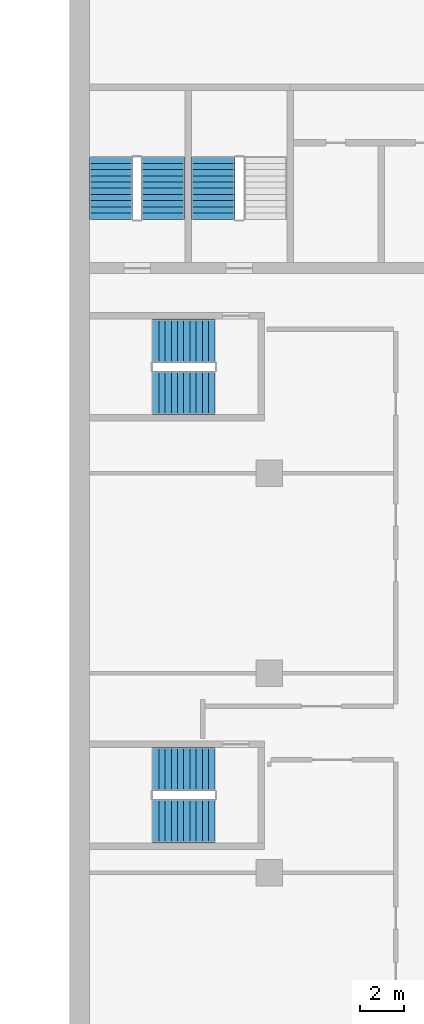
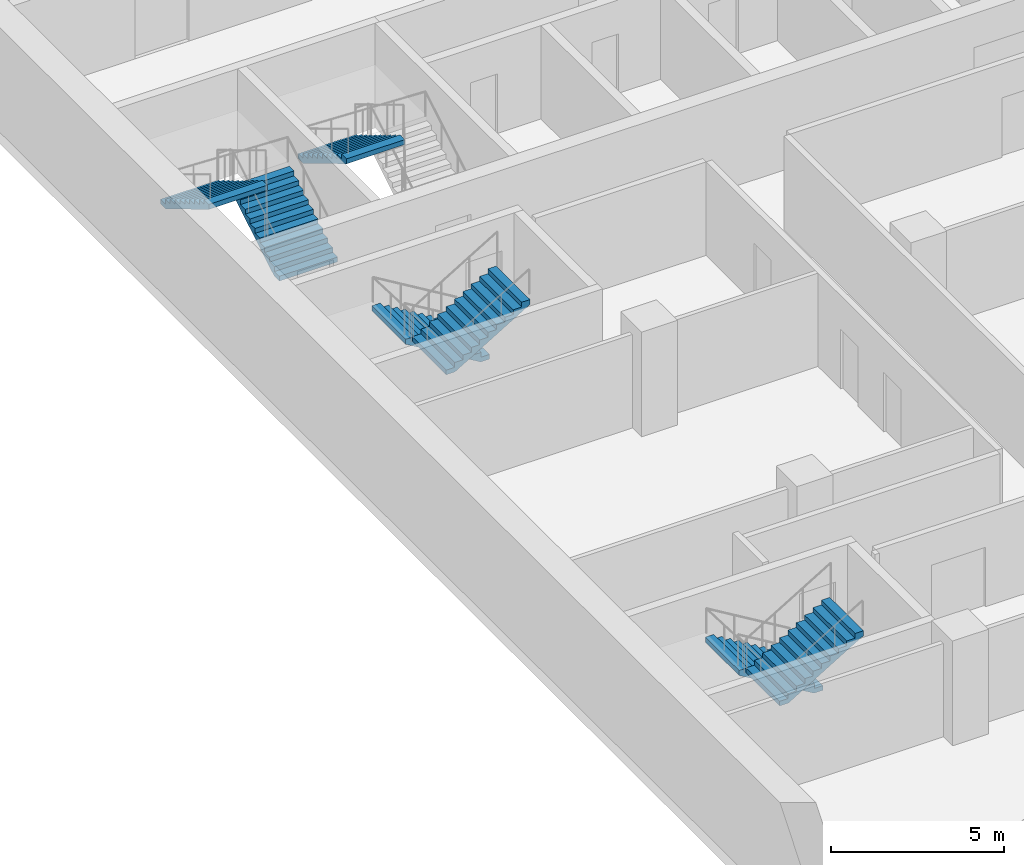
# One storey, part 15 of 22: 7 stair flights, 4 elements without a shape of their own.
"""IFC4 building model written with IfcOpenShell, lengths in metres."""

from ifc_helpers import new_model, si_unit, direction, frame, origin, place, context, subcontext, project, spatial, polyline, outline, extrude, material, type_object, element, aggregate, save


model = new_model("IFC4")

# Units and contexts
model_context = context("Model", 3, precision=1e-05, world=origin(), true_north=direction((0.0, 1.0)))
body_context = subcontext(model_context, "Body", "Model", "MODEL_VIEW")
ifc_project = project(units=[si_unit("LENGTHUNIT", "METRE"), si_unit("AREAUNIT", "SQUARE_METRE"), si_unit("VOLUMEUNIT", "CUBIC_METRE"), si_unit("PLANEANGLEUNIT", "RADIAN"), si_unit("MASSUNIT", "GRAM", prefix="KILO")], contexts=[model_context])

# Site, building, storey
site_placement = place(None, origin())
site = spatial("IfcSite", under=ifc_project, at=site_placement, CompositionType="ELEMENT")
building_placement = place(site_placement, origin())
building = spatial("IfcBuilding", under=site, at=building_placement, Name="Hunhe Ridgeline Campus", CompositionType="ELEMENT")
storey_placement = place(building_placement, frame((0.0, 0.0, 137.5)))
storey = spatial("IfcBuildingStorey", under=building, at=storey_placement, Name="L34", CompositionType="ELEMENT", Elevation=137.5)

# Stair, stair flights
ifc_material = material(Name="Concrete C40", Category="concrete")
stair_type = type_object("IfcStairType", Name="Reinforced concrete dog-leg stair 1950 Concrete C40", PredefinedType="HALF_TURN_STAIR", material=ifc_material)
stair_1_placement = place(storey_placement, origin())
stair_1 = element("IfcStair", 1, at=stair_1_placement, inside=storey, type_object=stair_type, Name="L34 S3", PredefinedType="HALF_TURN_STAIR")
stair_flight_type = type_object("IfcStairFlightType", Name="Reinforced concrete stair flight 1950 Concrete C40", PredefinedType="STRAIGHT", material=ifc_material)
stair_flight_1_placement = place(storey_placement, frame((4.22509765625, 65.449951171875, 0.0), z_axis=(0.0, 0.0, 1.0), x_axis=(0.0, 1.0, 0.0)))
stair_flight_1 = element("IfcStairFlight", 2, at=stair_flight_1_placement, type_object=stair_flight_type, Name="ST3 flight 1", NumberOfRisers=11, NumberOfTreads=10, PredefinedType="STRAIGHT", RiserHeight=0.168181818, TreadLength=0.28, context=body_context, shape_type="SweptSolid", body=[
    extrude(outline(polyline([(0.0, 0.0), (0.0, 0.168212890625), (0.280029296875, 0.168212890625), (0.280029296875, 0.33642578125), (0.56005859375, 0.33642578125), (0.56005859375, 0.504638671875), (0.840087890625, 0.504638671875), (0.840087890625, 0.672607421875), (1.1201171875, 0.672607421875), (1.1201171875, 0.8408203125), (1.39990234375, 0.8408203125), (1.39990234375, 1.009033203125), (1.679931640625, 1.009033203125), (1.679931640625, 1.17724609375), (1.9599609375, 1.17724609375), (1.9599609375, 1.345458984375), (2.239990234375, 1.345458984375), (2.239990234375, 1.513671875), (2.52001953125, 1.513671875), (2.52001953125, 1.681884765625), (2.800048828125, 1.681884765625), (2.800048828125, 1.85009765625), (2.800048828125, 1.5068359375), (0.291015625, 0.0), (0.0, 0.0)])), frame((0.0, 0.97509765625, 0.0), z_axis=(0.0, -1.0, 0.0), x_axis=(1.0, 0.0, 0.0)), (0.0, 0.0, 1.0), 1.949951171875),
    extrude(outline(polyline([(0.030029296875, 0.030029296875), (0.030029296875, 0.13818359375), (0.31005859375, 0.13818359375), (0.31005859375, 0.306396484375), (0.590087890625, 0.306396484375), (0.590087890625, 0.474609375), (0.8701171875, 0.474609375), (0.8701171875, 0.642578125), (1.14990234375, 0.642578125), (1.14990234375, 0.810791015625), (1.429931640625, 0.810791015625), (1.429931640625, 0.97900390625), (1.7099609375, 0.97900390625), (1.7099609375, 1.147216796875), (1.989990234375, 1.147216796875), (1.989990234375, 1.3154296875), (2.27001953125, 1.3154296875), (2.27001953125, 1.483642578125), (2.550048828125, 1.483642578125), (2.550048828125, 1.65185546875), (2.77001953125, 1.65185546875), (2.77001953125, 1.52392578125), (0.28271484375, 0.030029296875), (0.030029296875, 0.030029296875)])), frame((0.0, -0.070068359375, 0.0), z_axis=(0.0, -1.0, 0.0), x_axis=(1.0, 0.0, 0.0)), (0.0, 0.0, 1.0), 0.019775390625),
    extrude(outline(polyline([(0.030029296875, 0.030029296875), (0.030029296875, 0.13818359375), (0.31005859375, 0.13818359375), (0.31005859375, 0.306396484375), (0.590087890625, 0.306396484375), (0.590087890625, 0.474609375), (0.8701171875, 0.474609375), (0.8701171875, 0.642578125), (1.14990234375, 0.642578125), (1.14990234375, 0.810791015625), (1.429931640625, 0.810791015625), (1.429931640625, 0.97900390625), (1.7099609375, 0.97900390625), (1.7099609375, 1.147216796875), (1.989990234375, 1.147216796875), (1.989990234375, 1.3154296875), (2.27001953125, 1.3154296875), (2.27001953125, 1.483642578125), (2.550048828125, 1.483642578125), (2.550048828125, 1.65185546875), (2.77001953125, 1.65185546875), (2.77001953125, 1.52392578125), (0.28271484375, 0.030029296875), (0.030029296875, 0.030029296875)])), frame((0.0, 0.010009765625, 0.0), z_axis=(0.0, -1.0, 0.0), x_axis=(1.0, 0.0, 0.0)), (0.0, 0.0, 1.0), 0.019775390625),
    extrude(outline(polyline([(0.030029296875, 0.030029296875), (0.030029296875, 0.13818359375), (0.31005859375, 0.13818359375), (0.31005859375, 0.306396484375), (0.590087890625, 0.306396484375), (0.590087890625, 0.474609375), (0.8701171875, 0.474609375), (0.8701171875, 0.642578125), (1.14990234375, 0.642578125), (1.14990234375, 0.810791015625), (1.429931640625, 0.810791015625), (1.429931640625, 0.97900390625), (1.7099609375, 0.97900390625), (1.7099609375, 1.147216796875), (1.989990234375, 1.147216796875), (1.989990234375, 1.3154296875), (2.27001953125, 1.3154296875), (2.27001953125, 1.483642578125), (2.550048828125, 1.483642578125), (2.550048828125, 1.65185546875), (2.77001953125, 1.65185546875), (2.77001953125, 1.52392578125), (0.28271484375, 0.030029296875), (0.030029296875, 0.030029296875)])), frame((0.0, 0.090087890625, 0.0), z_axis=(0.0, -1.0, 0.0), x_axis=(1.0, 0.0, 0.0)), (0.0, 0.0, 1.0), 0.019775390625),
])
stair_flight_2_placement = place(storey_placement, frame((1.875, 68.25, 1.85009765625), z_axis=(0.0, 0.0, 1.0), x_axis=(0.0, -1.0, 0.0)))
stair_flight_2 = element("IfcStairFlight", 3, at=stair_flight_2_placement, type_object=stair_flight_type, Name="ST3 flight 2", NumberOfRisers=11, NumberOfTreads=10, PredefinedType="STRAIGHT", RiserHeight=0.168181818, TreadLength=0.28, context=body_context, shape_type="SweptSolid", body=[
    extrude(outline(polyline([(0.0, 0.0), (0.0, 0.168212890625), (0.280029296875, 0.168212890625), (0.280029296875, 0.33642578125), (0.56005859375, 0.33642578125), (0.56005859375, 0.504638671875), (0.840087890625, 0.504638671875), (0.840087890625, 0.672607421875), (1.1201171875, 0.672607421875), (1.1201171875, 0.8408203125), (1.39990234375, 0.8408203125), (1.39990234375, 1.009033203125), (1.679931640625, 1.009033203125), (1.679931640625, 1.17724609375), (1.9599609375, 1.17724609375), (1.9599609375, 1.345458984375), (2.239990234375, 1.345458984375), (2.239990234375, 1.513671875), (2.52001953125, 1.513671875), (2.52001953125, 1.681884765625), (2.800048828125, 1.681884765625), (2.800048828125, 1.85009765625), (2.800048828125, 1.5068359375), (0.291015625, 0.0), (0.0, 0.0)])), frame((0.0, 0.97509765625, 0.0), z_axis=(0.0, -1.0, 0.0), x_axis=(1.0, 0.0, 0.0)), (0.0, 0.0, 1.0), 1.949951171875),
    extrude(outline(polyline([(0.030029296875, 0.030029296875), (0.030029296875, 0.13818359375), (0.31005859375, 0.13818359375), (0.31005859375, 0.306396484375), (0.590087890625, 0.306396484375), (0.590087890625, 0.474609375), (0.8701171875, 0.474609375), (0.8701171875, 0.642578125), (1.14990234375, 0.642578125), (1.14990234375, 0.810791015625), (1.429931640625, 0.810791015625), (1.429931640625, 0.97900390625), (1.7099609375, 0.97900390625), (1.7099609375, 1.147216796875), (1.989990234375, 1.147216796875), (1.989990234375, 1.3154296875), (2.27001953125, 1.3154296875), (2.27001953125, 1.483642578125), (2.550048828125, 1.483642578125), (2.550048828125, 1.65185546875), (2.77001953125, 1.65185546875), (2.77001953125, 1.52392578125), (0.28271484375, 0.030029296875), (0.030029296875, 0.030029296875)])), frame((0.0, -0.070068359375, 0.0), z_axis=(0.0, -1.0, 0.0), x_axis=(1.0, 0.0, 0.0)), (0.0, 0.0, 1.0), 0.019775390625),
    extrude(outline(polyline([(0.030029296875, 0.030029296875), (0.030029296875, 0.13818359375), (0.31005859375, 0.13818359375), (0.31005859375, 0.306396484375), (0.590087890625, 0.306396484375), (0.590087890625, 0.474609375), (0.8701171875, 0.474609375), (0.8701171875, 0.642578125), (1.14990234375, 0.642578125), (1.14990234375, 0.810791015625), (1.429931640625, 0.810791015625), (1.429931640625, 0.97900390625), (1.7099609375, 0.97900390625), (1.7099609375, 1.147216796875), (1.989990234375, 1.147216796875), (1.989990234375, 1.3154296875), (2.27001953125, 1.3154296875), (2.27001953125, 1.483642578125), (2.550048828125, 1.483642578125), (2.550048828125, 1.65185546875), (2.77001953125, 1.65185546875), (2.77001953125, 1.52392578125), (0.28271484375, 0.030029296875), (0.030029296875, 0.030029296875)])), frame((0.0, 0.010009765625, 0.0), z_axis=(0.0, -1.0, 0.0), x_axis=(1.0, 0.0, 0.0)), (0.0, 0.0, 1.0), 0.019775390625),
    extrude(outline(polyline([(0.030029296875, 0.030029296875), (0.030029296875, 0.13818359375), (0.31005859375, 0.13818359375), (0.31005859375, 0.306396484375), (0.590087890625, 0.306396484375), (0.590087890625, 0.474609375), (0.8701171875, 0.474609375), (0.8701171875, 0.642578125), (1.14990234375, 0.642578125), (1.14990234375, 0.810791015625), (1.429931640625, 0.810791015625), (1.429931640625, 0.97900390625), (1.7099609375, 0.97900390625), (1.7099609375, 1.147216796875), (1.989990234375, 1.147216796875), (1.989990234375, 1.3154296875), (2.27001953125, 1.3154296875), (2.27001953125, 1.483642578125), (2.550048828125, 1.483642578125), (2.550048828125, 1.65185546875), (2.77001953125, 1.65185546875), (2.77001953125, 1.52392578125), (0.28271484375, 0.030029296875), (0.030029296875, 0.030029296875)])), frame((0.0, 0.090087890625, 0.0), z_axis=(0.0, -1.0, 0.0), x_axis=(1.0, 0.0, 0.0)), (0.0, 0.0, 1.0), 0.019775390625),
])
aggregate(stair_1, [stair_flight_1, stair_flight_2])

# Stair, stair flight
stair_2_placement = place(storey_placement, origin())
stair_2 = element("IfcStair", 4, at=stair_2_placement, inside=storey, type_object=stair_type, Name="L34 S4", PredefinedType="HALF_TURN_STAIR")
stair_flight_3_placement = place(storey_placement, frame((6.47509765625, 68.25, 1.85009765625), z_axis=(0.0, 0.0, 1.0), x_axis=(0.0, -1.0, 0.0)))
stair_flight_3 = element("IfcStairFlight", 5, at=stair_flight_3_placement, type_object=stair_flight_type, Name="ST4 flight 2", NumberOfRisers=11, NumberOfTreads=10, PredefinedType="STRAIGHT", RiserHeight=0.168181818, TreadLength=0.28, context=body_context, shape_type="SweptSolid", body=[
    extrude(outline(polyline([(0.0, 0.0), (0.0, 0.168212890625), (0.280029296875, 0.168212890625), (0.280029296875, 0.33642578125), (0.56005859375, 0.33642578125), (0.56005859375, 0.504638671875), (0.840087890625, 0.504638671875), (0.840087890625, 0.672607421875), (1.1201171875, 0.672607421875), (1.1201171875, 0.8408203125), (1.39990234375, 0.8408203125), (1.39990234375, 1.009033203125), (1.679931640625, 1.009033203125), (1.679931640625, 1.17724609375), (1.9599609375, 1.17724609375), (1.9599609375, 1.345458984375), (2.239990234375, 1.345458984375), (2.239990234375, 1.513671875), (2.52001953125, 1.513671875), (2.52001953125, 1.681884765625), (2.800048828125, 1.681884765625), (2.800048828125, 1.85009765625), (2.800048828125, 1.5068359375), (0.291015625, 0.0), (0.0, 0.0)])), frame((0.0, 0.97509765625, 0.0), z_axis=(0.0, -1.0, 0.0), x_axis=(1.0, 0.0, 0.0)), (0.0, 0.0, 1.0), 1.949951171875),
    extrude(outline(polyline([(0.030029296875, 0.030029296875), (0.030029296875, 0.13818359375), (0.31005859375, 0.13818359375), (0.31005859375, 0.306396484375), (0.590087890625, 0.306396484375), (0.590087890625, 0.474609375), (0.8701171875, 0.474609375), (0.8701171875, 0.642578125), (1.14990234375, 0.642578125), (1.14990234375, 0.810791015625), (1.429931640625, 0.810791015625), (1.429931640625, 0.97900390625), (1.7099609375, 0.97900390625), (1.7099609375, 1.147216796875), (1.989990234375, 1.147216796875), (1.989990234375, 1.3154296875), (2.27001953125, 1.3154296875), (2.27001953125, 1.483642578125), (2.550048828125, 1.483642578125), (2.550048828125, 1.65185546875), (2.77001953125, 1.65185546875), (2.77001953125, 1.52392578125), (0.28271484375, 0.030029296875), (0.030029296875, 0.030029296875)])), frame((0.0, -0.070068359375, 0.0), z_axis=(0.0, -1.0, 0.0), x_axis=(1.0, 0.0, 0.0)), (0.0, 0.0, 1.0), 0.019775390625),
    extrude(outline(polyline([(0.030029296875, 0.030029296875), (0.030029296875, 0.13818359375), (0.31005859375, 0.13818359375), (0.31005859375, 0.306396484375), (0.590087890625, 0.306396484375), (0.590087890625, 0.474609375), (0.8701171875, 0.474609375), (0.8701171875, 0.642578125), (1.14990234375, 0.642578125), (1.14990234375, 0.810791015625), (1.429931640625, 0.810791015625), (1.429931640625, 0.97900390625), (1.7099609375, 0.97900390625), (1.7099609375, 1.147216796875), (1.989990234375, 1.147216796875), (1.989990234375, 1.3154296875), (2.27001953125, 1.3154296875), (2.27001953125, 1.483642578125), (2.550048828125, 1.483642578125), (2.550048828125, 1.65185546875), (2.77001953125, 1.65185546875), (2.77001953125, 1.52392578125), (0.28271484375, 0.030029296875), (0.030029296875, 0.030029296875)])), frame((0.0, 0.010009765625, 0.0), z_axis=(0.0, -1.0, 0.0), x_axis=(1.0, 0.0, 0.0)), (0.0, 0.0, 1.0), 0.019775390625),
    extrude(outline(polyline([(0.030029296875, 0.030029296875), (0.030029296875, 0.13818359375), (0.31005859375, 0.13818359375), (0.31005859375, 0.306396484375), (0.590087890625, 0.306396484375), (0.590087890625, 0.474609375), (0.8701171875, 0.474609375), (0.8701171875, 0.642578125), (1.14990234375, 0.642578125), (1.14990234375, 0.810791015625), (1.429931640625, 0.810791015625), (1.429931640625, 0.97900390625), (1.7099609375, 0.97900390625), (1.7099609375, 1.147216796875), (1.989990234375, 1.147216796875), (1.989990234375, 1.3154296875), (2.27001953125, 1.3154296875), (2.27001953125, 1.483642578125), (2.550048828125, 1.483642578125), (2.550048828125, 1.65185546875), (2.77001953125, 1.65185546875), (2.77001953125, 1.52392578125), (0.28271484375, 0.030029296875), (0.030029296875, 0.030029296875)])), frame((0.0, 0.090087890625, 0.0), z_axis=(0.0, -1.0, 0.0), x_axis=(1.0, 0.0, 0.0)), (0.0, 0.0, 1.0), 0.019775390625),
])
aggregate(stair_2, [stair_flight_3])

# Stair, stair flights
stair_3_placement = place(storey_placement, origin())
stair_3 = element("IfcStair", 6, at=stair_3_placement, inside=storey, type_object=stair_type, Name="L34 W1", PredefinedType="HALF_TURN_STAIR")
stair_flight_4_placement = place(storey_placement, frame((6.550048828125, 40.675048828125, 0.0), z_axis=(0.0, 0.0, 1.0), x_axis=(-1.0, 0.0, 0.0)))
stair_flight_4 = element("IfcStairFlight", 7, at=stair_flight_4_placement, type_object=stair_flight_type, Name="ST11 flight 1", NumberOfRisers=11, NumberOfTreads=10, PredefinedType="STRAIGHT", RiserHeight=0.168181818, TreadLength=0.28, context=body_context, shape_type="SweptSolid", body=[
    extrude(outline(polyline([(0.0, 0.0), (0.0, 0.168212890625), (0.280029296875, 0.168212890625), (0.280029296875, 0.33642578125), (0.56005859375, 0.33642578125), (0.56005859375, 0.504638671875), (0.840087890625, 0.504638671875), (0.840087890625, 0.672607421875), (1.1201171875, 0.672607421875), (1.1201171875, 0.8408203125), (1.39990234375, 0.8408203125), (1.39990234375, 1.009033203125), (1.679931640625, 1.009033203125), (1.679931640625, 1.17724609375), (1.9599609375, 1.17724609375), (1.9599609375, 1.345458984375), (2.239990234375, 1.345458984375), (2.239990234375, 1.513671875), (2.52001953125, 1.513671875), (2.52001953125, 1.681884765625), (2.800048828125, 1.681884765625), (2.800048828125, 1.85009765625), (2.800048828125, 1.5068359375), (0.291015625, 0.0), (0.0, 0.0)])), frame((0.0, 0.97509765625, 0.0), z_axis=(0.0, -1.0, 0.0), x_axis=(1.0, 0.0, 0.0)), (0.0, 0.0, 1.0), 1.949951171875),
    extrude(outline(polyline([(0.030029296875, 0.030029296875), (0.030029296875, 0.13818359375), (0.31005859375, 0.13818359375), (0.31005859375, 0.306396484375), (0.590087890625, 0.306396484375), (0.590087890625, 0.474609375), (0.8701171875, 0.474609375), (0.8701171875, 0.642578125), (1.14990234375, 0.642578125), (1.14990234375, 0.810791015625), (1.429931640625, 0.810791015625), (1.429931640625, 0.97900390625), (1.7099609375, 0.97900390625), (1.7099609375, 1.147216796875), (1.989990234375, 1.147216796875), (1.989990234375, 1.3154296875), (2.27001953125, 1.3154296875), (2.27001953125, 1.483642578125), (2.550048828125, 1.483642578125), (2.550048828125, 1.65185546875), (2.77001953125, 1.65185546875), (2.77001953125, 1.52392578125), (0.28271484375, 0.030029296875), (0.030029296875, 0.030029296875)])), frame((0.0, -0.070068359375, 0.0), z_axis=(0.0, -1.0, 0.0), x_axis=(1.0, 0.0, 0.0)), (0.0, 0.0, 1.0), 0.019775390625),
    extrude(outline(polyline([(0.030029296875, 0.030029296875), (0.030029296875, 0.13818359375), (0.31005859375, 0.13818359375), (0.31005859375, 0.306396484375), (0.590087890625, 0.306396484375), (0.590087890625, 0.474609375), (0.8701171875, 0.474609375), (0.8701171875, 0.642578125), (1.14990234375, 0.642578125), (1.14990234375, 0.810791015625), (1.429931640625, 0.810791015625), (1.429931640625, 0.97900390625), (1.7099609375, 0.97900390625), (1.7099609375, 1.147216796875), (1.989990234375, 1.147216796875), (1.989990234375, 1.3154296875), (2.27001953125, 1.3154296875), (2.27001953125, 1.483642578125), (2.550048828125, 1.483642578125), (2.550048828125, 1.65185546875), (2.77001953125, 1.65185546875), (2.77001953125, 1.52392578125), (0.28271484375, 0.030029296875), (0.030029296875, 0.030029296875)])), frame((0.0, 0.010009765625, 0.0), z_axis=(0.0, -1.0, 0.0), x_axis=(1.0, 0.0, 0.0)), (0.0, 0.0, 1.0), 0.019775390625),
    extrude(outline(polyline([(0.030029296875, 0.030029296875), (0.030029296875, 0.13818359375), (0.31005859375, 0.13818359375), (0.31005859375, 0.306396484375), (0.590087890625, 0.306396484375), (0.590087890625, 0.474609375), (0.8701171875, 0.474609375), (0.8701171875, 0.642578125), (1.14990234375, 0.642578125), (1.14990234375, 0.810791015625), (1.429931640625, 0.810791015625), (1.429931640625, 0.97900390625), (1.7099609375, 0.97900390625), (1.7099609375, 1.147216796875), (1.989990234375, 1.147216796875), (1.989990234375, 1.3154296875), (2.27001953125, 1.3154296875), (2.27001953125, 1.483642578125), (2.550048828125, 1.483642578125), (2.550048828125, 1.65185546875), (2.77001953125, 1.65185546875), (2.77001953125, 1.52392578125), (0.28271484375, 0.030029296875), (0.030029296875, 0.030029296875)])), frame((0.0, 0.090087890625, 0.0), z_axis=(0.0, -1.0, 0.0), x_axis=(1.0, 0.0, 0.0)), (0.0, 0.0, 1.0), 0.019775390625),
])
stair_flight_5_placement = place(storey_placement, frame((3.75, 38.324951171875, 1.85009765625), z_axis=(0.0, 0.0, 1.0), x_axis=(1.0, 0.0, 0.0)))
stair_flight_5 = element("IfcStairFlight", 8, at=stair_flight_5_placement, type_object=stair_flight_type, Name="ST11 flight 2", NumberOfRisers=11, NumberOfTreads=10, PredefinedType="STRAIGHT", RiserHeight=0.168181818, TreadLength=0.28, context=body_context, shape_type="SweptSolid", body=[
    extrude(outline(polyline([(0.0, 0.0), (0.0, 0.168212890625), (0.280029296875, 0.168212890625), (0.280029296875, 0.33642578125), (0.56005859375, 0.33642578125), (0.56005859375, 0.504638671875), (0.840087890625, 0.504638671875), (0.840087890625, 0.672607421875), (1.1201171875, 0.672607421875), (1.1201171875, 0.8408203125), (1.39990234375, 0.8408203125), (1.39990234375, 1.009033203125), (1.679931640625, 1.009033203125), (1.679931640625, 1.17724609375), (1.9599609375, 1.17724609375), (1.9599609375, 1.345458984375), (2.239990234375, 1.345458984375), (2.239990234375, 1.513671875), (2.52001953125, 1.513671875), (2.52001953125, 1.681884765625), (2.800048828125, 1.681884765625), (2.800048828125, 1.85009765625), (2.800048828125, 1.5068359375), (0.291015625, 0.0), (0.0, 0.0)])), frame((0.0, 0.97509765625, 0.0), z_axis=(0.0, -1.0, 0.0), x_axis=(1.0, 0.0, 0.0)), (0.0, 0.0, 1.0), 1.949951171875),
    extrude(outline(polyline([(0.030029296875, 0.030029296875), (0.030029296875, 0.13818359375), (0.31005859375, 0.13818359375), (0.31005859375, 0.306396484375), (0.590087890625, 0.306396484375), (0.590087890625, 0.474609375), (0.8701171875, 0.474609375), (0.8701171875, 0.642578125), (1.14990234375, 0.642578125), (1.14990234375, 0.810791015625), (1.429931640625, 0.810791015625), (1.429931640625, 0.97900390625), (1.7099609375, 0.97900390625), (1.7099609375, 1.147216796875), (1.989990234375, 1.147216796875), (1.989990234375, 1.3154296875), (2.27001953125, 1.3154296875), (2.27001953125, 1.483642578125), (2.550048828125, 1.483642578125), (2.550048828125, 1.65185546875), (2.77001953125, 1.65185546875), (2.77001953125, 1.52392578125), (0.28271484375, 0.030029296875), (0.030029296875, 0.030029296875)])), frame((0.0, -0.070068359375, 0.0), z_axis=(0.0, -1.0, 0.0), x_axis=(1.0, 0.0, 0.0)), (0.0, 0.0, 1.0), 0.019775390625),
    extrude(outline(polyline([(0.030029296875, 0.030029296875), (0.030029296875, 0.13818359375), (0.31005859375, 0.13818359375), (0.31005859375, 0.306396484375), (0.590087890625, 0.306396484375), (0.590087890625, 0.474609375), (0.8701171875, 0.474609375), (0.8701171875, 0.642578125), (1.14990234375, 0.642578125), (1.14990234375, 0.810791015625), (1.429931640625, 0.810791015625), (1.429931640625, 0.97900390625), (1.7099609375, 0.97900390625), (1.7099609375, 1.147216796875), (1.989990234375, 1.147216796875), (1.989990234375, 1.3154296875), (2.27001953125, 1.3154296875), (2.27001953125, 1.483642578125), (2.550048828125, 1.483642578125), (2.550048828125, 1.65185546875), (2.77001953125, 1.65185546875), (2.77001953125, 1.52392578125), (0.28271484375, 0.030029296875), (0.030029296875, 0.030029296875)])), frame((0.0, 0.010009765625, 0.0), z_axis=(0.0, -1.0, 0.0), x_axis=(1.0, 0.0, 0.0)), (0.0, 0.0, 1.0), 0.019775390625),
    extrude(outline(polyline([(0.030029296875, 0.030029296875), (0.030029296875, 0.13818359375), (0.31005859375, 0.13818359375), (0.31005859375, 0.306396484375), (0.590087890625, 0.306396484375), (0.590087890625, 0.474609375), (0.8701171875, 0.474609375), (0.8701171875, 0.642578125), (1.14990234375, 0.642578125), (1.14990234375, 0.810791015625), (1.429931640625, 0.810791015625), (1.429931640625, 0.97900390625), (1.7099609375, 0.97900390625), (1.7099609375, 1.147216796875), (1.989990234375, 1.147216796875), (1.989990234375, 1.3154296875), (2.27001953125, 1.3154296875), (2.27001953125, 1.483642578125), (2.550048828125, 1.483642578125), (2.550048828125, 1.65185546875), (2.77001953125, 1.65185546875), (2.77001953125, 1.52392578125), (0.28271484375, 0.030029296875), (0.030029296875, 0.030029296875)])), frame((0.0, 0.090087890625, 0.0), z_axis=(0.0, -1.0, 0.0), x_axis=(1.0, 0.0, 0.0)), (0.0, 0.0, 1.0), 0.019775390625),
])
aggregate(stair_3, [stair_flight_4, stair_flight_5])

stair_4_placement = place(storey_placement, origin())
stair_4 = element("IfcStair", 9, at=stair_4_placement, inside=storey, type_object=stair_type, Name="L34 W2", PredefinedType="HALF_TURN_STAIR")
stair_flight_6_placement = place(storey_placement, frame((6.550048828125, 59.97509765625, 0.0), z_axis=(0.0, 0.0, 1.0), x_axis=(-1.0, 0.0, 0.0)))
stair_flight_6 = element("IfcStairFlight", 10, at=stair_flight_6_placement, type_object=stair_flight_type, Name="ST12 flight 1", NumberOfRisers=11, NumberOfTreads=10, PredefinedType="STRAIGHT", RiserHeight=0.168181818, TreadLength=0.28, context=body_context, shape_type="SweptSolid", body=[
    extrude(outline(polyline([(0.0, 0.0), (0.0, 0.168212890625), (0.280029296875, 0.168212890625), (0.280029296875, 0.33642578125), (0.56005859375, 0.33642578125), (0.56005859375, 0.504638671875), (0.840087890625, 0.504638671875), (0.840087890625, 0.672607421875), (1.1201171875, 0.672607421875), (1.1201171875, 0.8408203125), (1.39990234375, 0.8408203125), (1.39990234375, 1.009033203125), (1.679931640625, 1.009033203125), (1.679931640625, 1.17724609375), (1.9599609375, 1.17724609375), (1.9599609375, 1.345458984375), (2.239990234375, 1.345458984375), (2.239990234375, 1.513671875), (2.52001953125, 1.513671875), (2.52001953125, 1.681884765625), (2.800048828125, 1.681884765625), (2.800048828125, 1.85009765625), (2.800048828125, 1.5068359375), (0.291015625, 0.0), (0.0, 0.0)])), frame((0.0, 0.97509765625, 0.0), z_axis=(0.0, -1.0, 0.0), x_axis=(1.0, 0.0, 0.0)), (0.0, 0.0, 1.0), 1.949951171875),
    extrude(outline(polyline([(0.030029296875, 0.030029296875), (0.030029296875, 0.13818359375), (0.31005859375, 0.13818359375), (0.31005859375, 0.306396484375), (0.590087890625, 0.306396484375), (0.590087890625, 0.474609375), (0.8701171875, 0.474609375), (0.8701171875, 0.642578125), (1.14990234375, 0.642578125), (1.14990234375, 0.810791015625), (1.429931640625, 0.810791015625), (1.429931640625, 0.97900390625), (1.7099609375, 0.97900390625), (1.7099609375, 1.147216796875), (1.989990234375, 1.147216796875), (1.989990234375, 1.3154296875), (2.27001953125, 1.3154296875), (2.27001953125, 1.483642578125), (2.550048828125, 1.483642578125), (2.550048828125, 1.65185546875), (2.77001953125, 1.65185546875), (2.77001953125, 1.52392578125), (0.28271484375, 0.030029296875), (0.030029296875, 0.030029296875)])), frame((0.0, -0.070068359375, 0.0), z_axis=(0.0, -1.0, 0.0), x_axis=(1.0, 0.0, 0.0)), (0.0, 0.0, 1.0), 0.019775390625),
    extrude(outline(polyline([(0.030029296875, 0.030029296875), (0.030029296875, 0.13818359375), (0.31005859375, 0.13818359375), (0.31005859375, 0.306396484375), (0.590087890625, 0.306396484375), (0.590087890625, 0.474609375), (0.8701171875, 0.474609375), (0.8701171875, 0.642578125), (1.14990234375, 0.642578125), (1.14990234375, 0.810791015625), (1.429931640625, 0.810791015625), (1.429931640625, 0.97900390625), (1.7099609375, 0.97900390625), (1.7099609375, 1.147216796875), (1.989990234375, 1.147216796875), (1.989990234375, 1.3154296875), (2.27001953125, 1.3154296875), (2.27001953125, 1.483642578125), (2.550048828125, 1.483642578125), (2.550048828125, 1.65185546875), (2.77001953125, 1.65185546875), (2.77001953125, 1.52392578125), (0.28271484375, 0.030029296875), (0.030029296875, 0.030029296875)])), frame((0.0, 0.010009765625, 0.0), z_axis=(0.0, -1.0, 0.0), x_axis=(1.0, 0.0, 0.0)), (0.0, 0.0, 1.0), 0.019775390625),
    extrude(outline(polyline([(0.030029296875, 0.030029296875), (0.030029296875, 0.13818359375), (0.31005859375, 0.13818359375), (0.31005859375, 0.306396484375), (0.590087890625, 0.306396484375), (0.590087890625, 0.474609375), (0.8701171875, 0.474609375), (0.8701171875, 0.642578125), (1.14990234375, 0.642578125), (1.14990234375, 0.810791015625), (1.429931640625, 0.810791015625), (1.429931640625, 0.97900390625), (1.7099609375, 0.97900390625), (1.7099609375, 1.147216796875), (1.989990234375, 1.147216796875), (1.989990234375, 1.3154296875), (2.27001953125, 1.3154296875), (2.27001953125, 1.483642578125), (2.550048828125, 1.483642578125), (2.550048828125, 1.65185546875), (2.77001953125, 1.65185546875), (2.77001953125, 1.52392578125), (0.28271484375, 0.030029296875), (0.030029296875, 0.030029296875)])), frame((0.0, 0.090087890625, 0.0), z_axis=(0.0, -1.0, 0.0), x_axis=(1.0, 0.0, 0.0)), (0.0, 0.0, 1.0), 0.019775390625),
])
stair_flight_7_placement = place(storey_placement, frame((3.75, 57.625, 1.85009765625), z_axis=(0.0, 0.0, 1.0), x_axis=(1.0, 0.0, 0.0)))
stair_flight_7 = element("IfcStairFlight", 11, at=stair_flight_7_placement, type_object=stair_flight_type, Name="ST12 flight 2", NumberOfRisers=11, NumberOfTreads=10, PredefinedType="STRAIGHT", RiserHeight=0.168181818, TreadLength=0.28, context=body_context, shape_type="SweptSolid", body=[
    extrude(outline(polyline([(0.0, 0.0), (0.0, 0.168212890625), (0.280029296875, 0.168212890625), (0.280029296875, 0.33642578125), (0.56005859375, 0.33642578125), (0.56005859375, 0.504638671875), (0.840087890625, 0.504638671875), (0.840087890625, 0.672607421875), (1.1201171875, 0.672607421875), (1.1201171875, 0.8408203125), (1.39990234375, 0.8408203125), (1.39990234375, 1.009033203125), (1.679931640625, 1.009033203125), (1.679931640625, 1.17724609375), (1.9599609375, 1.17724609375), (1.9599609375, 1.345458984375), (2.239990234375, 1.345458984375), (2.239990234375, 1.513671875), (2.52001953125, 1.513671875), (2.52001953125, 1.681884765625), (2.800048828125, 1.681884765625), (2.800048828125, 1.85009765625), (2.800048828125, 1.5068359375), (0.291015625, 0.0), (0.0, 0.0)])), frame((0.0, 0.97509765625, 0.0), z_axis=(0.0, -1.0, 0.0), x_axis=(1.0, 0.0, 0.0)), (0.0, 0.0, 1.0), 1.949951171875),
    extrude(outline(polyline([(0.030029296875, 0.030029296875), (0.030029296875, 0.13818359375), (0.31005859375, 0.13818359375), (0.31005859375, 0.306396484375), (0.590087890625, 0.306396484375), (0.590087890625, 0.474609375), (0.8701171875, 0.474609375), (0.8701171875, 0.642578125), (1.14990234375, 0.642578125), (1.14990234375, 0.810791015625), (1.429931640625, 0.810791015625), (1.429931640625, 0.97900390625), (1.7099609375, 0.97900390625), (1.7099609375, 1.147216796875), (1.989990234375, 1.147216796875), (1.989990234375, 1.3154296875), (2.27001953125, 1.3154296875), (2.27001953125, 1.483642578125), (2.550048828125, 1.483642578125), (2.550048828125, 1.65185546875), (2.77001953125, 1.65185546875), (2.77001953125, 1.52392578125), (0.28271484375, 0.030029296875), (0.030029296875, 0.030029296875)])), frame((0.0, -0.070068359375, 0.0), z_axis=(0.0, -1.0, 0.0), x_axis=(1.0, 0.0, 0.0)), (0.0, 0.0, 1.0), 0.019775390625),
    extrude(outline(polyline([(0.030029296875, 0.030029296875), (0.030029296875, 0.13818359375), (0.31005859375, 0.13818359375), (0.31005859375, 0.306396484375), (0.590087890625, 0.306396484375), (0.590087890625, 0.474609375), (0.8701171875, 0.474609375), (0.8701171875, 0.642578125), (1.14990234375, 0.642578125), (1.14990234375, 0.810791015625), (1.429931640625, 0.810791015625), (1.429931640625, 0.97900390625), (1.7099609375, 0.97900390625), (1.7099609375, 1.147216796875), (1.989990234375, 1.147216796875), (1.989990234375, 1.3154296875), (2.27001953125, 1.3154296875), (2.27001953125, 1.483642578125), (2.550048828125, 1.483642578125), (2.550048828125, 1.65185546875), (2.77001953125, 1.65185546875), (2.77001953125, 1.52392578125), (0.28271484375, 0.030029296875), (0.030029296875, 0.030029296875)])), frame((0.0, 0.010009765625, 0.0), z_axis=(0.0, -1.0, 0.0), x_axis=(1.0, 0.0, 0.0)), (0.0, 0.0, 1.0), 0.019775390625),
    extrude(outline(polyline([(0.030029296875, 0.030029296875), (0.030029296875, 0.13818359375), (0.31005859375, 0.13818359375), (0.31005859375, 0.306396484375), (0.590087890625, 0.306396484375), (0.590087890625, 0.474609375), (0.8701171875, 0.474609375), (0.8701171875, 0.642578125), (1.14990234375, 0.642578125), (1.14990234375, 0.810791015625), (1.429931640625, 0.810791015625), (1.429931640625, 0.97900390625), (1.7099609375, 0.97900390625), (1.7099609375, 1.147216796875), (1.989990234375, 1.147216796875), (1.989990234375, 1.3154296875), (2.27001953125, 1.3154296875), (2.27001953125, 1.483642578125), (2.550048828125, 1.483642578125), (2.550048828125, 1.65185546875), (2.77001953125, 1.65185546875), (2.77001953125, 1.52392578125), (0.28271484375, 0.030029296875), (0.030029296875, 0.030029296875)])), frame((0.0, 0.090087890625, 0.0), z_axis=(0.0, -1.0, 0.0), x_axis=(1.0, 0.0, 0.0)), (0.0, 0.0, 1.0), 0.019775390625),
])
aggregate(stair_4, [stair_flight_6, stair_flight_7])

save(model, "model.ifc")
